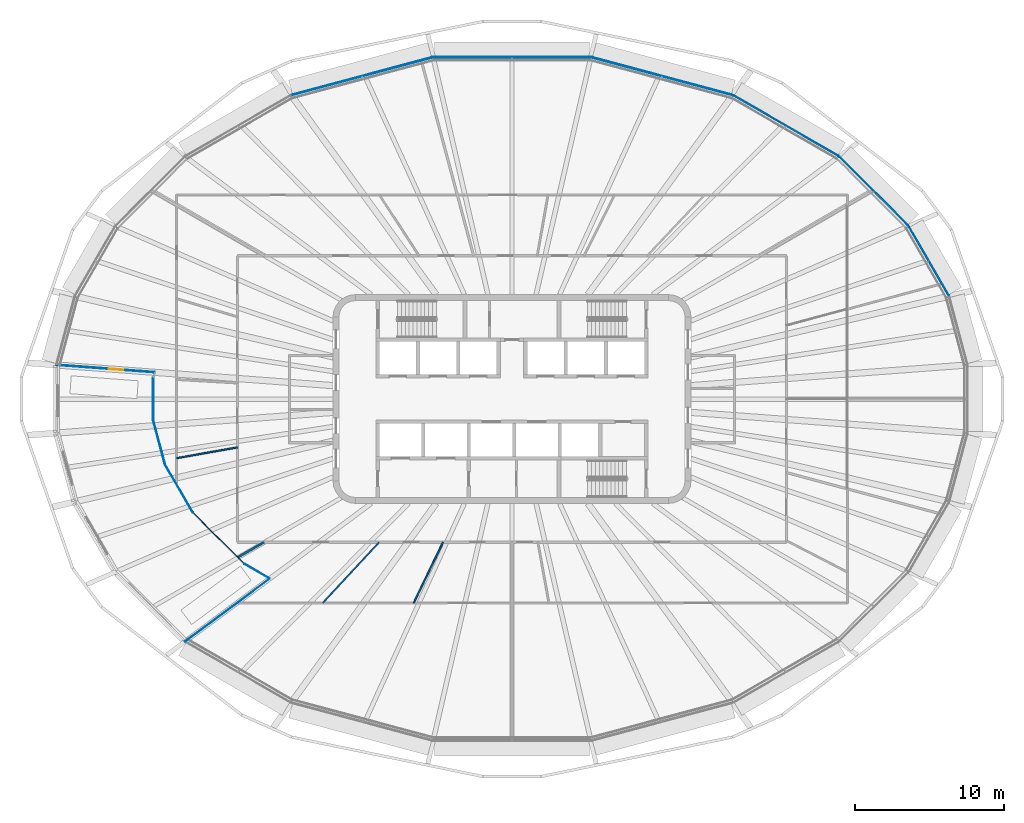
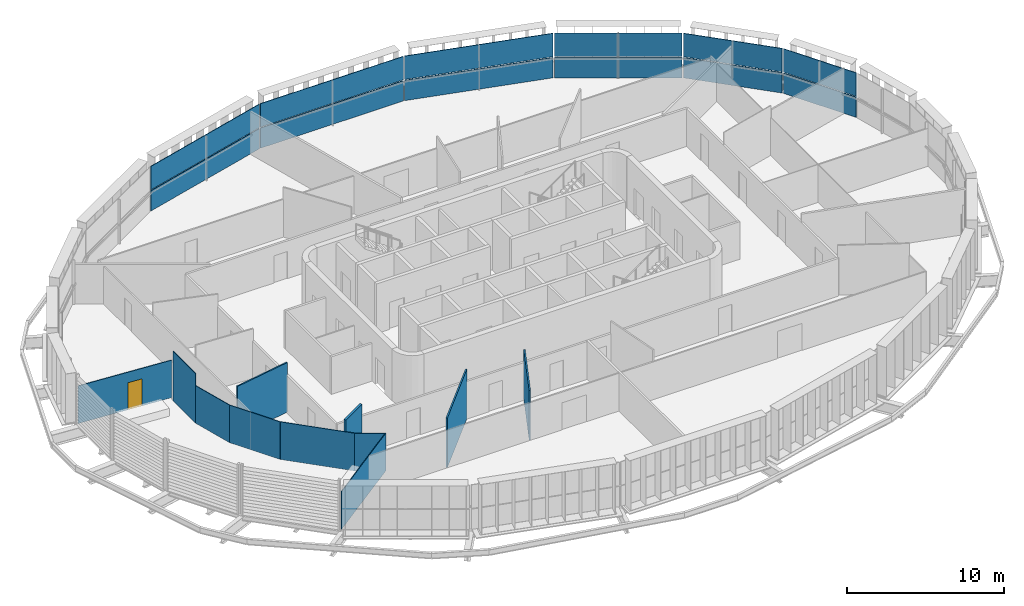
# One storey, part 9 of 20: 12 plates, 11 walls, 1 door, 1 opening, 6 elements without a shape of their own.
"""IFC4 building model written with IfcOpenShell, lengths in metres."""

from ifc_helpers import new_model, si_unit, direction, frame, frame_2d, origin, place, context, subcontext, project, spatial, polyline, rectangle, outline, extrude, material, layer, layer_set, type_object, element, fill, aggregate, save


model = new_model("IFC4")

# Units and contexts
model_context = context("Model", 3, precision=1e-05, world=origin(), true_north=direction((0.0, 1.0)))
body_context = subcontext(model_context, "Body", "Model", "MODEL_VIEW")
ifc_project = project(units=[si_unit("LENGTHUNIT", "METRE"), si_unit("AREAUNIT", "SQUARE_METRE"), si_unit("VOLUMEUNIT", "CUBIC_METRE"), si_unit("PLANEANGLEUNIT", "RADIAN"), si_unit("MASSUNIT", "GRAM", prefix="KILO")], contexts=[model_context])

# Site, building, storey
site_placement = place(None, origin())
site = spatial("IfcSite", under=ifc_project, at=site_placement, CompositionType="ELEMENT")
building_placement = place(site_placement, origin())
building = spatial("IfcBuilding", under=site, at=building_placement, Name="Sahrelin Media Tower", CompositionType="ELEMENT")
storey_placement = place(building_placement, frame((0.0, 0.0, 221.60009765625)))
storey = spatial("IfcBuildingStorey", under=building, at=storey_placement, Name="L47", CompositionType="ELEMENT", Elevation=221.60009765625)

# Curtain wall, plate
ifc_material_1 = material(Name="Champagne anodised aluminium 6063-T6", Category="aluminium")
ifc_layer_1 = layer(ifc_material_1, 0.14990234375)
ifc_layer_set_1 = layer_set([ifc_layer_1], Name="Tower ribbon curtain wall")
curtain_wall_type = type_object("IfcCurtainWallType", Name="Tower ribbon curtain wall", PredefinedType="NOTDEFINED", material=ifc_layer_set_1)
curtain_wall_1_placement = place(storey_placement, frame((27.954833984375, 9.2451171875, 0.0), z_axis=(0.0, 0.0, 1.0), x_axis=(1.0, 0.0, 0.0)))
curtain_wall_1 = element("IfcCurtainWall", 1, at=curtain_wall_1_placement, inside=storey, type_object=curtain_wall_type, Name="L47:CW:L47-02", PredefinedType="NOTDEFINED")
ifc_material_2 = material(Name="Clear low-iron glazing", Category="glass")
ifc_layer_2 = layer(ifc_material_2, 0.0439453125)
ifc_layer_set_2 = layer_set([ifc_layer_2], Name="Glazing panel 44 mm CW1B")
plate_type_1 = type_object("IfcPlateType", Name="Glazing panel 44 mm CW1B", PredefinedType="CURTAIN_PANEL", material=ifc_layer_set_2)
plate_1_placement = place(storey_placement, frame((29.304931640625, 6.9462890625, 1.6298828125), z_axis=(0.8660338432, 0.499985382219, 0.0), x_axis=(-0.499985382219, 0.8660338432, 0.0)))
plate_1 = element("IfcPlate", 2, at=plate_1_placement, type_object=plate_type_1, Name="L47:CWP2:L47-02", PredefinedType="CURTAIN_PANEL", context=body_context, shape_type="SweptSolid", body=[
    extrude(outline(polyline([(0.0, 0.0), (5.331787109375, 0.0), (5.331787109375, 1.818603515625), (0.0, 1.818603515625), (0.0, 0.0)])), origin(), (0.0, 0.0, -1.0), 0.0439453125),
])

curtain_wall_2_placement = place(storey_placement, frame((24.263916015625, 13.929931640625, 0.0), z_axis=(0.0, 0.0, 1.0), x_axis=(1.0, 0.0, 0.0)))
curtain_wall_2 = element("IfcCurtainWall", 3, at=curtain_wall_2_placement, inside=storey, type_object=curtain_wall_type, Name="L47:CW:L47-03", PredefinedType="NOTDEFINED")
plate_2_placement = place(storey_placement, frame((26.57568359375, 11.646484375, 1.6298828125), z_axis=(0.707087997386, 0.707125564488, 0.0), x_axis=(-0.707125564488, 0.707087997386, 0.0)))
plate_2 = element("IfcPlate", 4, at=plate_2_placement, type_object=plate_type_1, Name="L47:CWP2:L47-03", PredefinedType="CURTAIN_PANEL", context=body_context, shape_type="SweptSolid", body=[
    extrude(outline(polyline([(0.0, 0.0), (6.498779296875, 0.0), (6.498779296875, 1.818603515625), (0.0, 1.818603515625), (0.0, 0.0)])), origin(), (0.0, 0.0, -1.0), 0.0439453125),
])

curtain_wall_3_placement = place(storey_placement, frame((18.36962890625, 18.319091796875, 0.0), z_axis=(0.0, 0.0, 1.0), x_axis=(1.0, 0.0, 0.0)))
curtain_wall_3 = element("IfcCurtainWall", 5, at=curtain_wall_3_placement, inside=storey, type_object=curtain_wall_type, Name="L47:CW:L47-04", PredefinedType="NOTDEFINED")
plate_3_placement = place(storey_placement, frame((21.8974609375, 16.305419921875, 1.6298828125), z_axis=(0.499988669132, 0.866031945565, 0.0), x_axis=(-0.866031945565, 0.499988669132, 0.0)))
plate_3 = element("IfcPlate", 6, at=plate_3_placement, type_object=plate_type_1, Name="L47:CWP2:L47-04", PredefinedType="CURTAIN_PANEL", context=body_context, shape_type="SweptSolid", body=[
    extrude(outline(polyline([(0.0, 0.0), (8.123779296875, 0.0), (8.123779296875, 1.818603515625), (0.0, 1.818603515625), (0.0, 0.0)])), origin(), (0.0, 0.0, -1.0), 0.0439453125),
])

curtain_wall_4_placement = place(storey_placement, frame((10.04931640625, 21.650390625, 0.0), z_axis=(0.0, 0.0, 1.0), x_axis=(1.0, 0.0, 0.0)))
curtain_wall_4 = element("IfcCurtainWall", 7, at=curtain_wall_4_placement, inside=storey, type_object=curtain_wall_type, Name="L47:CW:L47-05", PredefinedType="NOTDEFINED")
plate_4_placement = place(storey_placement, frame((14.765625, 20.4072265625, 1.6298828125), z_axis=(0.258819904839, 0.965925595923, 0.0), x_axis=(-0.965925595923, 0.258819904839, 0.0)))
plate_4 = element("IfcPlate", 8, at=plate_4_placement, type_object=plate_type_1, Name="L47:CWP2:L47-05", PredefinedType="CURTAIN_PANEL", context=body_context, shape_type="SweptSolid", body=[
    extrude(outline(polyline([(0.0, 0.0), (9.75439453125, 0.0), (9.75439453125, 1.818603515625), (0.0, 1.818603515625), (0.0, 0.0)])), origin(), (0.0, 0.0, -1.0), 0.0439453125),
])

curtain_wall_5_placement = place(storey_placement, frame((0.0, 22.925537109375, 0.0), z_axis=(0.0, 0.0, 1.0), x_axis=(1.0, 0.0, 0.0)))
curtain_wall_5 = element("IfcCurtainWall", 9, at=curtain_wall_5_placement, inside=storey, type_object=curtain_wall_type, Name="L47:CW:L47-06", PredefinedType="NOTDEFINED")
plate_5_placement = place(storey_placement, frame((5.239990234375, 22.945556640625, 1.6298828125), z_axis=(0.0, 1.0, 0.0), x_axis=(-1.0, 0.0, 0.0)))
plate_5 = element("IfcPlate", 10, at=plate_5_placement, type_object=plate_type_1, Name="L47:CWP2:L47-06", PredefinedType="CURTAIN_PANEL", context=body_context, shape_type="SweptSolid", body=[
    extrude(outline(polyline([(0.0, 0.0), (10.47998046875, 0.0), (10.47998046875, 1.818603515625), (0.0, 1.818603515625), (0.0, 0.0)])), origin(), (0.0, 0.0, -1.0), 0.0439453125),
])

curtain_wall_6_placement = place(storey_placement, frame((-10.04931640625, 21.650390625, 0.0), z_axis=(0.0, 0.0, 1.0), x_axis=(1.0, 0.0, 0.0)))
curtain_wall_6 = element("IfcCurtainWall", 11, at=curtain_wall_6_placement, inside=storey, type_object=curtain_wall_type, Name="L47:CW:L47-07", PredefinedType="NOTDEFINED")
plate_6_placement = place(storey_placement, frame((-5.343505859375, 22.931884765625, 1.6298828125), z_axis=(-0.258819904839, 0.965925595923, 0.0), x_axis=(-0.965925595923, -0.258819904839, 0.0)))
plate_6 = element("IfcPlate", 12, at=plate_6_placement, type_object=plate_type_1, Name="L47:CWP2:L47-07", PredefinedType="CURTAIN_PANEL", context=body_context, shape_type="SweptSolid", body=[
    extrude(outline(polyline([(0.0, 0.0), (9.75439453125, 0.0), (9.75439453125, 1.818603515625), (0.0, 1.818603515625), (0.0, 0.0)])), origin(), (0.0, 0.0, -1.0), 0.0439453125),
])

# Plate
ifc_material_3 = material(Name="Insulated spandrel panel")
ifc_layer_3 = layer(ifc_material_3, 0.06005859375)
ifc_layer_set_3 = layer_set([ifc_layer_3], Name="Spandrel panel 60 mm CW1")
plate_type_2 = type_object("IfcPlateType", Name="Spandrel panel 60 mm CW1", PredefinedType="SHEET", material=ifc_layer_set_3)
plate_7_placement = place(storey_placement, frame((29.304931640625, 6.9462890625, 0.0), z_axis=(0.8660338432, 0.499985382219, 0.0), x_axis=(-0.499985382219, 0.8660338432, 0.0)))
plate_7 = element("IfcPlate", 13, at=plate_7_placement, type_object=plate_type_2, Name="L47:CWP1:L47-02", PredefinedType="SHEET", context=body_context, shape_type="SweptSolid", body=[
    extrude(outline(polyline([(0.0, 0.0), (5.331787109375, 0.0), (5.331787109375, 1.56982421875), (0.0, 1.56982421875), (0.0, 0.0)])), origin(), (0.0, 0.0, -1.0), 0.06005859375),
])

aggregate(curtain_wall_1, [plate_7, plate_1])

plate_8_placement = place(storey_placement, frame((26.57568359375, 11.646484375, 0.0), z_axis=(0.707087997386, 0.707125564488, 0.0), x_axis=(-0.707125564488, 0.707087997386, 0.0)))
plate_8 = element("IfcPlate", 14, at=plate_8_placement, type_object=plate_type_2, Name="L47:CWP1:L47-03", PredefinedType="SHEET", context=body_context, shape_type="SweptSolid", body=[
    extrude(outline(polyline([(0.0, 0.0), (6.498779296875, 0.0), (6.498779296875, 1.56982421875), (0.0, 1.56982421875), (0.0, 0.0)])), origin(), (0.0, 0.0, -1.0), 0.06005859375),
])

aggregate(curtain_wall_2, [plate_8, plate_2])

plate_9_placement = place(storey_placement, frame((21.8974609375, 16.305419921875, 0.0), z_axis=(0.499988669132, 0.866031945565, 0.0), x_axis=(-0.866031945565, 0.499988669132, 0.0)))
plate_9 = element("IfcPlate", 15, at=plate_9_placement, type_object=plate_type_2, Name="L47:CWP1:L47-04", PredefinedType="SHEET", context=body_context, shape_type="SweptSolid", body=[
    extrude(outline(polyline([(0.0, 0.0), (8.123779296875, 0.0), (8.123779296875, 1.56982421875), (0.0, 1.56982421875), (0.0, 0.0)])), origin(), (0.0, 0.0, -1.0), 0.06005859375),
])

aggregate(curtain_wall_3, [plate_9, plate_3])

plate_10_placement = place(storey_placement, frame((14.765625, 20.4072265625, 0.0), z_axis=(0.258819904839, 0.965925595923, 0.0), x_axis=(-0.965925595923, 0.258819904839, 0.0)))
plate_10 = element("IfcPlate", 16, at=plate_10_placement, type_object=plate_type_2, Name="L47:CWP1:L47-05", PredefinedType="SHEET", context=body_context, shape_type="SweptSolid", body=[
    extrude(outline(polyline([(0.0, 0.0), (9.75439453125, 0.0), (9.75439453125, 1.56982421875), (0.0, 1.56982421875), (0.0, 0.0)])), origin(), (0.0, 0.0, -1.0), 0.06005859375),
])

aggregate(curtain_wall_4, [plate_10, plate_4])

plate_11_placement = place(storey_placement, frame((5.239990234375, 22.945556640625, 0.0), z_axis=(0.0, 1.0, 0.0), x_axis=(-1.0, 0.0, 0.0)))
plate_11 = element("IfcPlate", 17, at=plate_11_placement, type_object=plate_type_2, Name="L47:CWP1:L47-06", PredefinedType="SHEET", context=body_context, shape_type="SweptSolid", body=[
    extrude(outline(polyline([(0.0, 0.0), (10.47998046875, 0.0), (10.47998046875, 1.56982421875), (0.0, 1.56982421875), (0.0, 0.0)])), origin(), (0.0, 0.0, -1.0), 0.06005859375),
])

aggregate(curtain_wall_5, [plate_11, plate_5])

plate_12_placement = place(storey_placement, frame((-5.343505859375, 22.931884765625, 0.0), z_axis=(-0.258819904839, 0.965925595923, 0.0), x_axis=(-0.965925595923, -0.258819904839, 0.0)))
plate_12 = element("IfcPlate", 18, at=plate_12_placement, type_object=plate_type_2, Name="L47:CWP1:L47-07", PredefinedType="SHEET", context=body_context, shape_type="SweptSolid", body=[
    extrude(outline(polyline([(0.0, 0.0), (9.75439453125, 0.0), (9.75439453125, 1.56982421875), (0.0, 1.56982421875), (0.0, 0.0)])), origin(), (0.0, 0.0, -1.0), 0.06005859375),
])

aggregate(curtain_wall_6, [plate_12, plate_6])

# Walls
ifc_material_4 = material(Name="Fire-rated gypsum board partition")
ifc_layer_4 = layer(ifc_material_4, 0.14990234375)
ifc_layer_set_4 = layer_set([ifc_layer_4], Name="Fire-rated partition 150")
wall_type_1 = type_object("IfcWallType", Name="Fire-rated partition 150", PredefinedType="PARTITIONING", material=ifc_layer_set_4)
wall_1_placement = place(storey_placement, frame((-18.386962890625, -10.614990234375, 0.0), z_axis=(0.0, 0.0, 1.0), x_axis=(0.866037445929, 0.499979141813, 0.0)))
element("IfcWall", 19, at=wall_1_placement, inside=storey, type_object=wall_type_1, Name="Wall", PredefinedType="PARTITIONING", context=body_context, shape_type="SweptSolid", body=[
    extrude(rectangle(XDim=2.03076171875, YDim=0.14990234375, at=frame_2d((1.015380859375, 0.0))), origin(), (0.0, 0.0, 1.0), 3.849853515625),
])
ifc_material_5 = material(Name="Clear glass", Category="glass")
ifc_layer_5 = layer(ifc_material_5, 0.050048828125)
ifc_layer_set_5 = layer_set([ifc_layer_5], Name="Glazed partition 50")
wall_type_2 = type_object("IfcWallType", Name="Glazed partition 50", PredefinedType="PARTITIONING", material=ifc_layer_set_5)
wall_2_placement = place(storey_placement, frame((-24.048095703125, -1.426025390625, 0.0), z_axis=(0.0, 0.0, 1.0), x_axis=(0.258635126036, -0.965975088488, 0.0)))
element("IfcWall", 20, at=wall_2_placement, inside=storey, type_object=wall_type_2, Name="Wall", PredefinedType="PARTITIONING", context=body_context, shape_type="SweptSolid", body=[
    extrude(rectangle(XDim=3.062255859375, YDim=0.050048828125, at=frame_2d((1.53125, 0.0))), origin(), (0.0, 0.0, 1.0), 2.918212890625),
])
wall_3_placement = place(storey_placement, frame((-23.256103515625, -4.384033203125, 0.0), z_axis=(0.0, 0.0, 1.0), x_axis=(0.499985652865, -0.866033686948, 0.0)))
element("IfcWall", 21, at=wall_3_placement, inside=storey, type_object=wall_type_2, Name="Wall", PredefinedType="PARTITIONING", context=body_context, shape_type="SweptSolid", body=[
    extrude(rectangle(XDim=3.72021484375, YDim=0.050048828125, at=frame_2d((1.860107421875, 0.0))), origin(), (0.0, 0.0, 1.0), 2.918212890625),
])
wall_4_placement = place(storey_placement, frame((-21.39599609375, -7.60595703125, 0.0), z_axis=(0.0, 0.0, 1.0), x_axis=(0.707106781187, -0.707106781187, 0.0)))
element("IfcWall", 22, at=wall_4_placement, inside=storey, type_object=wall_type_2, Name="Wall", PredefinedType="PARTITIONING", context=body_context, shape_type="SweptSolid", body=[
    extrude(rectangle(XDim=4.8876953125, YDim=0.050048828125, at=frame_2d((2.44384765625, 0.0))), origin(), (0.0, 0.0, 1.0), 2.927001953125),
])
wall_5_placement = place(storey_placement, frame((-17.93994140625, -11.06201171875, 0.0), z_axis=(0.0, 0.0, 1.0), x_axis=(0.866137951632, -0.499805010722, 0.0)))
element("IfcWall", 23, at=wall_5_placement, inside=storey, type_object=wall_type_2, Name="Wall", PredefinedType="PARTITIONING", context=body_context, shape_type="SweptSolid", body=[
    extrude(rectangle(XDim=1.962646484375, YDim=0.050048828125, at=frame_2d((0.9814453125, 0.0))), origin(), (0.0, 0.0, 1.0), 2.927001953125),
])

# Wall, opening, door
wall_6_placement = place(storey_placement, frame((-30.548095703125, 2.281982421875, 0.0), z_axis=(0.0, 0.0, 1.0), x_axis=(0.997220325615, -0.074509208697, 0.0)))
wall_6 = element("IfcWall", 24, at=wall_6_placement, inside=storey, type_object=wall_type_2, Name="Wall", PredefinedType="PARTITIONING", context=body_context, shape_type="SweptSolid", body=[
    extrude(rectangle(XDim=6.615478515625, YDim=0.050048828125, at=frame_2d((3.3076171875, 0.0))), origin(), (0.0, 0.0, 1.0), 2.918212890625),
])
opening_placement = place(wall_6_placement, frame((3.510009765625, 0.0, 0.0)))
opening = element("IfcOpeningElement", 25, at=opening_placement, cuts=wall_6, Name="Opening L47-D45", PredefinedType="OPENING", context=body_context, shape_type="SweptSolid", body=[
    extrude(rectangle(XDim=1.0, YDim=2.10009765625, at=frame_2d((0.5, 1.050048828125))), frame((0.0, 0.02490234375, 0.0), z_axis=(0.0, -1.0, 0.0), x_axis=(1.0, 0.0, 0.0)), (0.0, 0.0, 1.0), 0.050048828125),
])
door_type = type_object("IfcDoorType", Name="Glazed door 1000 x 2100", OperationType="NOTDEFINED", PredefinedType="DOOR", material=ifc_material_5)
door_placement = place(opening_placement, origin())
door = element("IfcDoor", 26, at=door_placement, inside=storey, type_object=door_type, Name="Glazed door", OperationType="SINGLE_SWING_LEFT", OverallHeight=2.10009765625, OverallWidth=1.0, PredefinedType="DOOR", context=body_context, shape_type="SweptSolid", body=[
    extrude(rectangle(XDim=1.0, YDim=2.10009765625, at=frame_2d((0.5, 1.050048828125))), frame((0.0, 0.02490234375, 0.0), z_axis=(0.0, -1.0, 0.0), x_axis=(1.0, 0.0, 0.0)), (0.0, 0.0, 1.0), 0.049560546875),
])
fill(opening, door)

# Walls
wall_7_placement = place(storey_placement, frame((-21.930908203125, -16.262939453125, 0.0), z_axis=(0.0, 0.0, 1.0), x_axis=(0.803271406244, 0.595613169692, 0.0)))
element("IfcWall", 27, at=wall_7_placement, inside=storey, type_object=wall_type_2, Name="Wall", PredefinedType="PARTITIONING", context=body_context, shape_type="SweptSolid", body=[
    extrude(rectangle(XDim=7.084716796875, YDim=0.050048828125, at=frame_2d((3.54248046875, 0.0))), origin(), (0.0, 0.0, 1.0), 2.927001953125),
])
wall_8_placement = place(storey_placement, frame((-24.048095703125, -1.426025390625, 0.0), z_axis=(0.0, 0.0, 1.0), x_axis=(0.0, 1.0, 0.0)))
element("IfcWall", 28, at=wall_8_placement, inside=storey, type_object=wall_type_2, Name="Wall", PredefinedType="PARTITIONING", context=body_context, shape_type="SweptSolid", body=[
    extrude(rectangle(XDim=2.85302734375, YDim=0.050048828125, at=frame_2d((1.426513671875, 0.0))), origin(), (0.0, 0.0, 1.0), 3.849853515625),
])
ifc_material_6 = material(Name="Gypsum board partition")
ifc_layer_6 = layer(ifc_material_6, 0.10009765625)
ifc_layer_set_6 = layer_set([ifc_layer_6], Name="Partition 100")
wall_type_3 = type_object("IfcWallType", Name="Partition 100", PredefinedType="PARTITIONING", material=ifc_layer_set_6)
wall_9_placement = place(storey_placement, frame((-22.47998046875, -3.964111328125, 0.0), z_axis=(0.0, 0.0, 1.0), x_axis=(0.984775252653, 0.173832395604, 0.0)))
element("IfcWall", 29, at=wall_9_placement, inside=storey, type_object=wall_type_3, Name="Wall", PredefinedType="PARTITIONING", context=body_context, shape_type="SweptSolid", body=[
    extrude(rectangle(XDim=4.14306640625, YDim=0.10009765625, at=frame_2d((2.071533203125, 0.0))), origin(), (0.0, 0.0, 1.0), 3.849853515625),
])
wall_10_placement = place(storey_placement, frame((-12.694091796875, -13.679931640625, 0.0), z_axis=(0.0, 0.0, 1.0), x_axis=(0.680230670979, 0.732998113408, 0.0)))
element("IfcWall", 30, at=wall_10_placement, inside=storey, type_object=wall_type_3, Name="Wall", PredefinedType="PARTITIONING", context=body_context, shape_type="SweptSolid", body=[
    extrude(rectangle(XDim=5.56591796875, YDim=0.10009765625, at=frame_2d((2.782958984375, 0.0))), origin(), (0.0, 0.0, 1.0), 3.849853515625),
])
wall_11_placement = place(storey_placement, frame((-6.587890625, -13.679931640625, 0.0), z_axis=(0.0, 0.0, 1.0), x_axis=(0.43390153131, 0.900960299418, 0.0)))
element("IfcWall", 31, at=wall_11_placement, inside=storey, type_object=wall_type_3, Name="Wall", PredefinedType="PARTITIONING", context=body_context, shape_type="SweptSolid", body=[
    extrude(rectangle(XDim=4.5283203125, YDim=0.10009765625, at=frame_2d((2.26416015625, 0.0))), origin(), (0.0, 0.0, 1.0), 3.849853515625),
])

save(model, "model.ifc")
